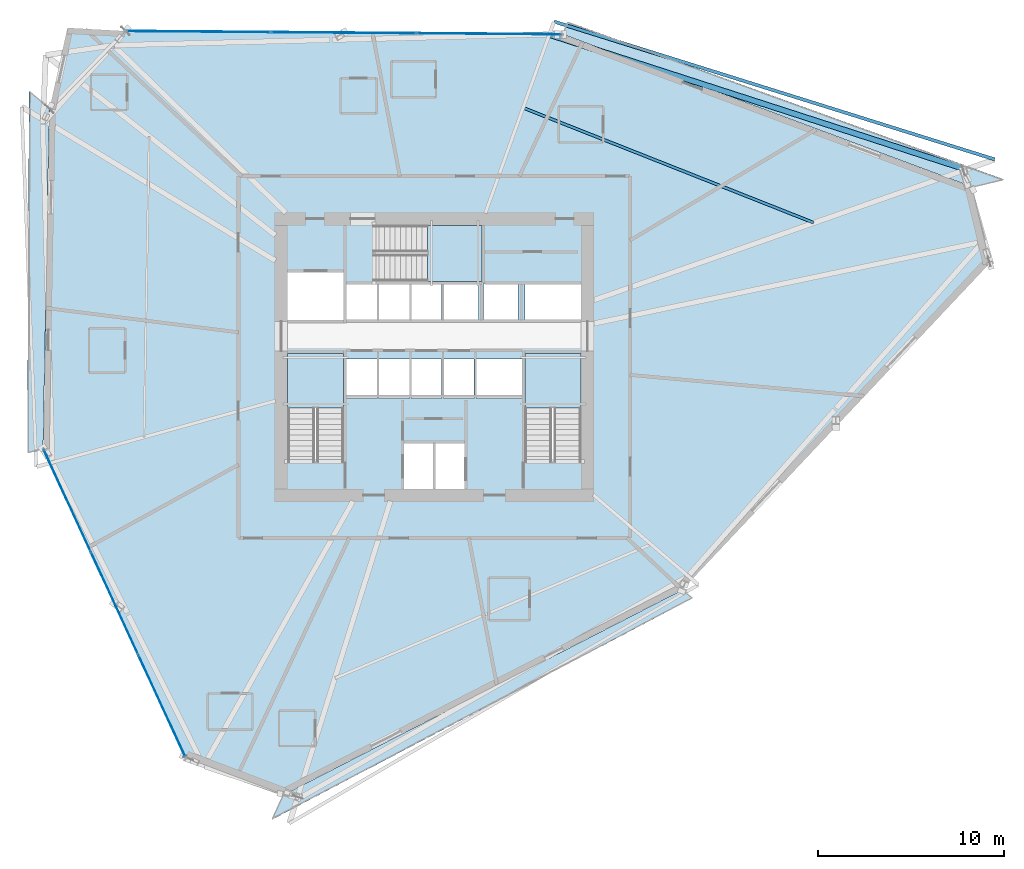
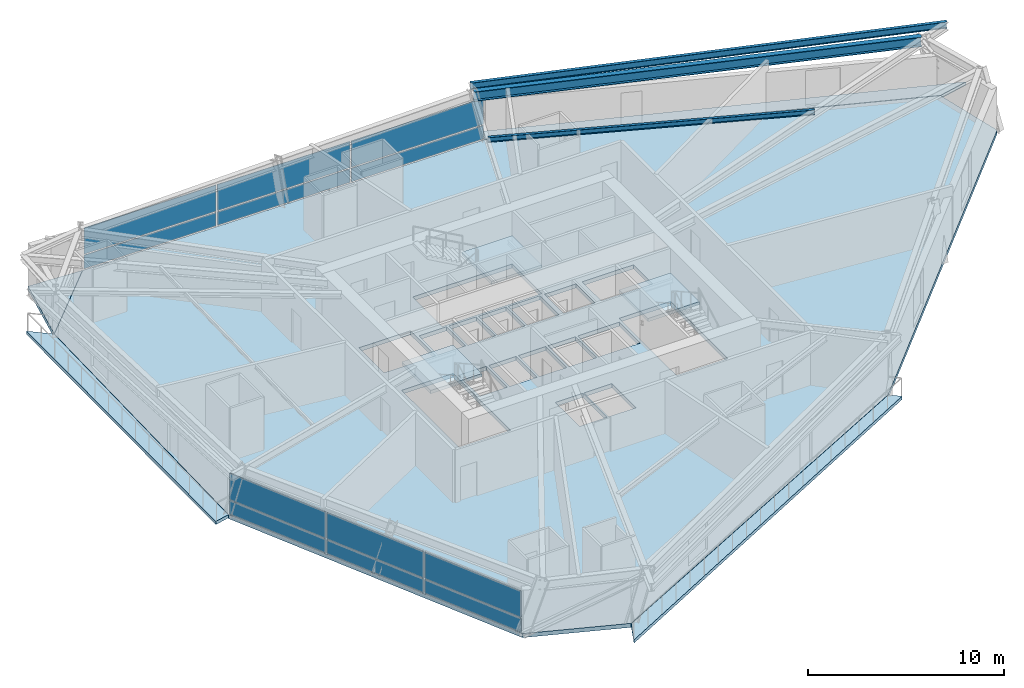
# One storey, part 10 of 22: 12 plates, 8 slabs, 3 beams, 5 elements without a shape of their own.
"""IFC4 building model written with IfcOpenShell, lengths in metres."""

from ifc_helpers import new_model, si_unit, direction, frame, origin, origin_2d, place, context, subcontext, project, spatial, polyline, rectangle, i_section, outline, extrude, source, transform, mapped, material, layer, layer_set, material_profile, profile_set, type_object, element, aggregate, save


model = new_model("IFC4")

# Units and contexts
model_context = context("Model", 3, precision=1e-05, world=origin(), true_north=direction((0.0, 1.0)))
body_context = subcontext(model_context, "Body", "Model", "MODEL_VIEW")
ifc_project = project(units=[si_unit("LENGTHUNIT", "METRE"), si_unit("AREAUNIT", "SQUARE_METRE"), si_unit("VOLUMEUNIT", "CUBIC_METRE"), si_unit("PLANEANGLEUNIT", "RADIAN"), si_unit("MASSUNIT", "GRAM", prefix="KILO")], contexts=[model_context])

# Site, building, storey
site_placement = place(None, origin())
site = spatial("IfcSite", under=ifc_project, at=site_placement, CompositionType="ELEMENT")
building_placement = place(site_placement, origin())
building = spatial("IfcBuilding", under=site, at=building_placement, Name="Olszyna Solenne Hotel", CompositionType="ELEMENT")
storey_placement = place(building_placement, frame((0.0, 0.0, 95.050048828125)))
storey = spatial("IfcBuildingStorey", under=building, at=storey_placement, Name="L24", CompositionType="ELEMENT", Elevation=95.050048828125)

# Beams
ifc_material_1 = material(Name="Steel S355J2", Category="steel")
ifc_material_profile_1 = material_profile(ifc_material_1, i_section(OverallWidth=0.300048828125, OverallDepth=0.60009765625, WebThickness=0.015380859375, FlangeThickness=0.030029296875, at=origin_2d()), Name="HEB 600", Category="load-bearing")
ifc_profile_set_1 = profile_set([ifc_material_profile_1], Name="Steel S355J2")
beam_type_1 = type_object("IfcBeamType", Name="BM-S2", PredefinedType="BEAM", material=ifc_profile_set_1)
shared_shape_1 = source(origin(), body_context, "Body", "SweptSolid", [
    extrude(i_section(OverallWidth=0.300048828125, OverallDepth=0.60009765625, WebThickness=0.015380859375, FlangeThickness=0.030029296875, at=origin_2d()), origin(), (0.0, 0.0, 1.0), 23.327880859375),
])
beam_1_placement = place(storey_placement, frame((66.41259765625, 36.782470703125, 3.0), z_axis=(-0.951459933032, 0.307772636593, 0.0), x_axis=(-0.307772636593, -0.951459933032, 0.0)))
element("IfcBeam", 1, at=beam_1_placement, inside=storey, type_object=beam_type_1, Name="Perimeter spandrel beam BM-S2 B-L24-0721", PredefinedType="BEAM", context=body_context, shape_type="MappedRepresentation", body=[
    mapped(shared_shape_1, transform((0.0, 0.0, 0.0), x_axis=(1.0, 0.0, 0.0), y_axis=(0.0, 1.0, 0.0), z_axis=(0.0, 0.0, 1.0), scale=1.0)),
])
ifc_material_profile_2 = material_profile(ifc_material_1, i_section(OverallWidth=0.14990234375, OverallDepth=0.300048828125, WebThickness=0.007080078125, FlangeThickness=0.0107421875, at=origin_2d()), Name="IPE 300", Category="load-bearing")
ifc_profile_set_2 = profile_set([ifc_material_profile_2], Name="Steel S355J2")
beam_type_2 = type_object("IfcBeamType", Name="JS-02", PredefinedType="JOIST", material=ifc_profile_set_2)
shared_shape_2 = source(origin(), body_context, "Body", "SweptSolid", [
    extrude(i_section(OverallWidth=0.14990234375, OverallDepth=0.300048828125, WebThickness=0.007080078125, FlangeThickness=0.0107421875, at=origin_2d()), origin(), (0.0, 0.0, 1.0), 16.809326171875),
])
beam_2_placement = place(storey_placement, frame((58.431396484375, 33.837158203125, 3.14990234375), z_axis=(-0.929895224396, 0.367824512024, 0.0), x_axis=(-0.367824512024, -0.929895224396, 0.0)))
element("IfcBeam", 2, at=beam_2_placement, inside=storey, type_object=beam_type_2, Name="Secondary composite floor joist JS-02 B-L24-0744", PredefinedType="JOIST", context=body_context, shape_type="MappedRepresentation", body=[
    mapped(shared_shape_2, transform((0.0, 0.0, 0.0), x_axis=(1.0, 0.0, 0.0), y_axis=(0.0, 1.0, 0.0), z_axis=(0.0, 0.0, 1.0), scale=1.0)),
])
ifc_material_profile_3 = material_profile(ifc_material_1, i_section(OverallWidth=0.179931640625, OverallDepth=0.39990234375, WebThickness=0.008544921875, FlangeThickness=0.013427734375, at=origin_2d()), Name="IPE 400", Category="load-bearing")
ifc_profile_set_3 = profile_set([ifc_material_profile_3], Name="Steel S355J2")
beam_type_3 = type_object("IfcBeamType", Name="BM-F5", PredefinedType="BEAM", material=ifc_profile_set_3)
shared_shape_3 = source(origin(), body_context, "Body", "SweptSolid", [
    extrude(i_section(OverallWidth=0.179931640625, OverallDepth=0.39990234375, WebThickness=0.008544921875, FlangeThickness=0.013427734375, at=origin_2d()), origin(), (0.0, 0.0, 1.0), 24.87158203125),
])
beam_3_placement = place(storey_placement, frame((68.18408203125, 37.24658203125, 3.099853515625), z_axis=(-0.954413932152, 0.298486257831, 0.0), x_axis=(-0.298486257831, -0.954413932152, 0.0)))
element("IfcBeam", 3, at=beam_3_placement, inside=storey, type_object=beam_type_3, Name="Loggia outer edge beam BM-F5 B-L24-0747", PredefinedType="BEAM", context=body_context, shape_type="MappedRepresentation", body=[
    mapped(shared_shape_3, transform((0.0, 0.0, 0.0), x_axis=(1.0, 0.0, 0.0), y_axis=(0.0, 1.0, 0.0), z_axis=(0.0, 0.0, 1.0), scale=1.0)),
])

# Stair, slab
ifc_material_2 = material(Name="Concrete C40/50", Category="concrete")
stair_type = type_object("IfcStairType", Name="STR-C1", PredefinedType="TWO_QUARTER_WINDING_STAIR", material=ifc_material_2)
stair_1_placement = place(storey_placement, origin())
stair_1 = element("IfcStair", 4, at=stair_1_placement, inside=storey, type_object=stair_type, Name="L24 ST1", PredefinedType="TWO_QUARTER_WINDING_STAIR")
ifc_layer_1 = layer(ifc_material_2, 0.18994140625, Name="Concrete C40/50")
ifc_layer_set_1 = layer_set([ifc_layer_1], Name="Concrete C40/50")
slab_type_1 = type_object("IfcSlabType", Name="SL-LN190", PredefinedType="LANDING", material=ifc_layer_set_1)
slab_1_placement = place(storey_placement, frame((0.0, 0.0, 1.574951171875)))
slab_1 = element("IfcSlab", 5, at=slab_1_placement, type_object=slab_type_1, Name="ST1 landing 1", PredefinedType="LANDING", context=body_context, shape_type="SweptSolid", body=[
    extrude(outline(polyline([(33.1201171875, 23.85009765625), (33.1201171875, 26.800048828125), (30.10009765625, 26.800048828125), (30.10009765625, 23.85009765625), (33.1201171875, 23.85009765625)])), origin(), (0.0, 0.0, 1.0), 0.199951171875),
])
aggregate(stair_1, [slab_1])

stair_2_placement = place(storey_placement, origin())
stair_2 = element("IfcStair", 6, at=stair_2_placement, inside=storey, type_object=stair_type, Name="L24 ST2", PredefinedType="TWO_QUARTER_WINDING_STAIR")
slab_2_placement = place(storey_placement, frame((0.0, 0.0, 1.574951171875)))
slab_2 = element("IfcSlab", 7, at=slab_2_placement, type_object=slab_type_1, Name="ST2 landing 1", PredefinedType="LANDING", context=body_context, shape_type="SweptSolid", body=[
    extrude(outline(polyline([(45.89990234375, 23.85009765625), (45.89990234375, 26.800048828125), (42.8798828125, 26.800048828125), (42.8798828125, 23.85009765625), (45.89990234375, 23.85009765625)])), origin(), (0.0, 0.0, 1.0), 0.199951171875),
])
aggregate(stair_2, [slab_2])

stair_3_placement = place(storey_placement, origin())
stair_3 = element("IfcStair", 8, at=stair_3_placement, inside=storey, type_object=stair_type, Name="L24 ST3", PredefinedType="TWO_QUARTER_WINDING_STAIR")
slab_3_placement = place(storey_placement, frame((0.0, 0.0, 1.574951171875)))
slab_3 = element("IfcSlab", 9, at=slab_3_placement, type_object=slab_type_1, Name="ST3 landing 1", PredefinedType="LANDING", context=body_context, shape_type="SweptSolid", body=[
    extrude(outline(polyline([(37.6298828125, 30.679931640625), (40.580078125, 30.679931640625), (40.580078125, 33.699951171875), (37.6298828125, 33.699951171875), (37.6298828125, 30.679931640625)])), origin(), (0.0, 0.0, 1.0), 0.199951171875),
])
aggregate(stair_3, [slab_3])

# Slabs
ifc_material_3 = material(Name="Precast concrete C45/55", Category="concrete")
ifc_layer_2 = layer(ifc_material_3, 0.199951171875, Name="Precast concrete C45/55")
ifc_layer_set_2 = layer_set([ifc_layer_2], Name="Precast concrete C45/55")
slab_type_2 = type_object("IfcSlabType", Name="SL-LOG200", PredefinedType="FLOOR", material=ifc_layer_set_2)
slab_4_placement = place(storey_placement, frame((0.0, 0.0, -0.199951171875)))
element("IfcSlab", 10, at=slab_4_placement, inside=storey, type_object=slab_type_2, Name="Exterior loggia balcony slab SL-L24-LG1", PredefinedType="FLOOR", context=body_context, shape_type="SweptSolid", body=[
    extrude(outline(polyline([(44.902587890625, 43.994140625), (66.959716796875, 35.76513671875), (66.9609375, 35.764404296875), (66.96240234375, 35.763916015625), (66.96337890625, 35.762939453125), (66.964599609375, 35.761962890625), (66.9658203125, 35.760986328125), (66.966552734375, 35.759765625), (66.96728515625, 35.758544921875), (66.968017578125, 35.757080078125), (66.968505859375, 35.755859375), (66.968994140625, 35.75439453125), (68.68603515625, 36.16748046875), (45.208740234375, 44.658447265625), (44.902587890625, 43.994140625)])), origin(), (0.0, 0.0, 1.0), 0.199951171875),
])
slab_5_placement = place(storey_placement, frame((0.0, 0.0, -0.199951171875)))
element("IfcSlab", 11, at=slab_5_placement, inside=storey, type_object=slab_type_2, Name="Exterior loggia balcony slab SL-L24-LG2", PredefinedType="FLOOR", context=body_context, shape_type="SweptSolid", body=[
    extrude(outline(polyline([(16.926513671875, 21.655029296875), (16.92626953125, 21.65625), (16.926025390625, 21.657470703125), (16.926025390625, 21.658935546875), (17.263671875, 39.982666015625), (17.263671875, 39.984130859375), (17.263916015625, 39.985595703125), (17.265625, 39.993408203125), (16.171875, 40.922119140625), (16.0751953125, 21.450439453125), (16.926513671875, 21.655029296875)])), origin(), (0.0, 0.0, 1.0), 0.199951171875),
])
slab_6_placement = place(storey_placement, frame((0.0, 0.0, -0.199951171875)))
element("IfcSlab", 12, at=slab_6_placement, inside=storey, type_object=slab_type_2, Name="Exterior loggia balcony slab SL-L24-LG3", PredefinedType="FLOOR", context=body_context, shape_type="SweptSolid", body=[
    extrude(outline(polyline([(51.37060546875, 14.064697265625), (51.3701171875, 14.064208984375), (51.368896484375, 14.06298828125), (51.367431640625, 14.06201171875), (51.3662109375, 14.061279296875), (29.884521484375, 3.025390625), (29.8828125, 3.02490234375), (29.88134765625, 3.0244140625), (29.8798828125, 3.02392578125), (29.87841796875, 3.023681640625), (29.876708984375, 3.023681640625), (29.875244140625, 3.02392578125), (29.873779296875, 3.0244140625), (29.872314453125, 3.02490234375), (29.87109375, 3.025146484375), (29.252685546875, 1.6826171875), (51.91259765625, 13.6044921875), (51.37060546875, 14.064697265625)])), origin(), (0.0, 0.0, 1.0), 0.199951171875),
])
ifc_material_4 = material(Name="Concrete C50/60", Category="concrete")
ifc_layer_3 = layer(ifc_material_4, 0.25, Name="Concrete C50/60")
ifc_layer_set_3 = layer_set([ifc_layer_3], Name="Concrete C50/60")
slab_type_3 = type_object("IfcSlabType", Name="SL-TW250", PredefinedType="FLOOR", material=ifc_layer_set_3)
slab_7_placement = place(storey_placement, frame((0.0, 0.0, -0.25)))
element("IfcSlab", 13, at=slab_7_placement, inside=storey, type_object=slab_type_3, Name="Floor slab SL-TW250 SL-L24-01", PredefinedType="FLOOR", context=body_context, shape_type="SweptSolid", body=[
    extrude(outline(polyline([(67.91943359375, 31.653076171875), (66.954345703125, 35.7509765625), (44.896240234375, 43.98046875), (21.353759765625, 44.15869140625), (17.278564453125, 39.982421875), (16.941162109375, 21.65869140625), (24.6162109375, 5.016357421875), (29.87744140625, 3.038818359375), (51.359130859375, 14.074462890625), (67.91943359375, 31.653076171875)]), holes=[polyline([(30.10009765625, 20.949951171875), (33.1201171875, 20.949951171875), (33.1201171875, 26.800048828125), (30.10009765625, 26.800048828125), (30.10009765625, 20.949951171875)]), polyline([(42.8798828125, 20.949951171875), (45.89990234375, 20.949951171875), (45.89990234375, 26.800048828125), (42.8798828125, 26.800048828125), (42.8798828125, 20.949951171875)]), polyline([(34.72998046875, 30.679931640625), (40.580078125, 30.679931640625), (40.580078125, 33.699951171875), (34.72998046875, 33.699951171875), (34.72998046875, 30.679931640625)]), polyline([(36.340087890625, 19.5), (37.9599609375, 19.5), (37.9599609375, 21.9599609375), (36.340087890625, 21.9599609375), (36.340087890625, 19.5)]), polyline([(38.0400390625, 19.5), (39.659912109375, 19.5), (39.659912109375, 21.9599609375), (38.0400390625, 21.9599609375), (38.0400390625, 19.5)]), polyline([(30.10009765625, 28.60009765625), (33.1201171875, 28.60009765625), (33.1201171875, 31.159912109375), (30.10009765625, 31.159912109375), (30.10009765625, 28.60009765625)]), polyline([(33.280029296875, 24.360107421875), (34.89990234375, 24.360107421875), (34.89990234375, 26.5), (33.280029296875, 26.5), (33.280029296875, 24.360107421875)]), polyline([(35.030029296875, 24.360107421875), (36.64990234375, 24.360107421875), (36.64990234375, 26.5), (35.030029296875, 26.5), (35.030029296875, 24.360107421875)]), polyline([(36.780029296875, 24.360107421875), (38.39990234375, 24.360107421875), (38.39990234375, 26.5), (36.780029296875, 26.5), (36.780029296875, 24.360107421875)]), polyline([(38.530029296875, 24.360107421875), (40.14990234375, 24.360107421875), (40.14990234375, 26.5), (38.530029296875, 26.5), (38.530029296875, 24.360107421875)]), polyline([(40.280029296875, 24.360107421875), (42.719970703125, 24.360107421875), (42.719970703125, 26.5), (40.280029296875, 26.5), (40.280029296875, 24.360107421875)]), polyline([(33.280029296875, 28.60009765625), (34.89990234375, 28.60009765625), (34.89990234375, 30.550048828125), (33.280029296875, 30.550048828125), (33.280029296875, 28.60009765625)]), polyline([(35.030029296875, 28.60009765625), (36.64990234375, 28.60009765625), (36.64990234375, 30.550048828125), (35.030029296875, 30.550048828125), (35.030029296875, 28.60009765625)]), polyline([(36.780029296875, 28.60009765625), (38.39990234375, 28.60009765625), (38.39990234375, 30.550048828125), (36.780029296875, 30.550048828125), (36.780029296875, 28.60009765625)]), polyline([(38.530029296875, 28.60009765625), (40.389892578125, 28.60009765625), (40.389892578125, 30.550048828125), (38.530029296875, 30.550048828125), (38.530029296875, 28.60009765625)]), polyline([(40.659912109375, 28.60009765625), (42.52001953125, 28.60009765625), (42.52001953125, 30.550048828125), (40.659912109375, 30.550048828125), (40.659912109375, 28.60009765625)]), polyline([(42.8798828125, 28.60009765625), (45.89990234375, 28.60009765625), (45.89990234375, 30.550048828125), (42.8798828125, 30.550048828125), (42.8798828125, 28.60009765625)])]), origin(), (0.0, 0.0, 1.0), 0.25),
])
slab_8_placement = place(storey_placement, frame((0.0, 0.0, -0.25)))
element("IfcSlab", 14, at=slab_8_placement, inside=storey, type_object=slab_type_3, Name="Faceted glass-prism floor slab SL-L24-PR", PredefinedType="FLOOR", context=body_context, shape_type="SweptSolid", body=[
    extrude(outline(polyline([(17.28271484375, 40.000732421875), (21.34033203125, 44.1591796875), (18.239013671875, 44.331298828125), (17.28271484375, 40.000732421875)])), origin(), (0.0, 0.0, 1.0), 0.25),
])

# Curtain wall, plates
ifc_material_5 = material(Name="Anodised bronze aluminium", Category="aluminium")
curtain_wall_type = type_object("IfcCurtainWallType", Name="CW-SYS-3", PredefinedType="NOTDEFINED", material=ifc_material_5)
curtain_wall_1_placement = place(storey_placement, origin())
curtain_wall_1 = element("IfcCurtainWall", 15, at=curtain_wall_1_placement, inside=storey, type_object=curtain_wall_type, Name="Unitised curtain wall CW-SYS-3 CW-L24-01", PredefinedType="NOTDEFINED")
ifc_material_6 = material(Name="Terracotta cladding", Category="masonry")
plate_type_1 = type_object("IfcPlateType", Name="PN-SP1", PredefinedType="CURTAIN_PANEL", material=ifc_material_6)
shared_shape_4 = source(origin(), body_context, "Body", "SweptSolid", [
    extrude(rectangle(XDim=5.996337890625, YDim=0.035888671875, at=origin_2d()), origin(), (0.0, 0.0, 1.0), 0.83740234375),
])
plate_1_placement = place(storey_placement, frame((18.22802734375, 18.867919921875, 0.074951171875), z_axis=(0.0, 0.0, 1.0), x_axis=(0.418785493846, -0.908085188814, 0.0)))
plate_1 = element("IfcPlate", 16, at=plate_1_placement, type_object=plate_type_1, Name="Curtain-wall panel PN-SP1 CP-L24-01-01", PredefinedType="CURTAIN_PANEL", context=body_context, shape_type="MappedRepresentation", body=[
    mapped(shared_shape_4, transform((0.0, 0.0, 0.0), x_axis=(1.0, 0.0, 0.0), y_axis=(0.0, 1.0, 0.0), z_axis=(0.0, 0.0, 1.0), scale=1.0)),
])
plate_2_placement = place(storey_placement, frame((23.3291015625, 7.80712890625, 0.074951171875), z_axis=(0.0, 0.0, 1.0), x_axis=(0.418785493846, -0.908085188814, 0.0)))
plate_2 = element("IfcPlate", 17, at=plate_2_placement, type_object=plate_type_1, Name="Curtain-wall panel PN-SP1 CP-L24-01-05", PredefinedType="CURTAIN_PANEL", context=body_context, shape_type="MappedRepresentation", body=[
    mapped(shared_shape_4, transform((0.0, 0.0, 0.0), x_axis=(1.0, 0.0, 0.0), y_axis=(0.0, 1.0, 0.0), z_axis=(0.0, 0.0, 1.0), scale=1.0)),
])
ifc_material_7 = material(Name="Low-E triple glazing", Category="glass")
plate_type_2 = type_object("IfcPlateType", Name="PN-GL1", PredefinedType="CURTAIN_PANEL", material=ifc_material_7)
shared_shape_5 = source(origin(), body_context, "Body", "SweptSolid", [
    extrude(rectangle(XDim=5.996337890625, YDim=0.035888671875, at=origin_2d()), origin(), (0.0, 0.0, 1.0), 1.62939453125),
])
plate_3_placement = place(storey_placement, frame((18.22802734375, 18.867919921875, 0.987548828125), z_axis=(0.0, 0.0, 1.0), x_axis=(0.418785493846, -0.908085188814, 0.0)))
plate_3 = element("IfcPlate", 18, at=plate_3_placement, type_object=plate_type_2, Name="Curtain-wall panel PN-GL1 CP-L24-01-02", PredefinedType="CURTAIN_PANEL", context=body_context, shape_type="MappedRepresentation", body=[
    mapped(shared_shape_5, transform((0.0, 0.0, 0.0), x_axis=(1.0, 0.0, 0.0), y_axis=(0.0, 1.0, 0.0), z_axis=(0.0, 0.0, 1.0), scale=1.0)),
])
plate_4_placement = place(storey_placement, frame((23.3291015625, 7.80712890625, 0.987548828125), z_axis=(0.0, 0.0, 1.0), x_axis=(0.418785493846, -0.908085188814, 0.0)))
plate_4 = element("IfcPlate", 19, at=plate_4_placement, type_object=plate_type_2, Name="Curtain-wall panel PN-GL1 CP-L24-01-06", PredefinedType="CURTAIN_PANEL", context=body_context, shape_type="MappedRepresentation", body=[
    mapped(shared_shape_5, transform((0.0, 0.0, 0.0), x_axis=(1.0, 0.0, 0.0), y_axis=(0.0, 1.0, 0.0), z_axis=(0.0, 0.0, 1.0), scale=1.0)),
])
shared_shape_6 = source(origin(), body_context, "Body", "SweptSolid", [
    extrude(rectangle(XDim=6.033935546875, YDim=0.035888671875, at=origin_2d()), origin(), (0.0, 0.0, 1.0), 0.83740234375),
])
plate_5_placement = place(storey_placement, frame((20.778564453125, 13.33740234375, 0.074951171875), z_axis=(0.0, 0.0, 1.0), x_axis=(0.418785493846, -0.908085188814, 0.0)))
plate_5 = element("IfcPlate", 20, at=plate_5_placement, type_object=plate_type_1, Name="Curtain-wall panel PN-SP1 CP-L24-01-03", PredefinedType="CURTAIN_PANEL", context=body_context, shape_type="MappedRepresentation", body=[
    mapped(shared_shape_6, transform((0.0, 0.0, 0.0), x_axis=(1.0, 0.0, 0.0), y_axis=(0.0, 1.0, 0.0), z_axis=(0.0, 0.0, 1.0), scale=1.0)),
])
shared_shape_7 = source(origin(), body_context, "Body", "SweptSolid", [
    extrude(rectangle(XDim=6.033935546875, YDim=0.035888671875, at=origin_2d()), origin(), (0.0, 0.0, 1.0), 1.62939453125),
])
plate_6_placement = place(storey_placement, frame((20.778564453125, 13.33740234375, 0.987548828125), z_axis=(0.0, 0.0, 1.0), x_axis=(0.418785493846, -0.908085188814, 0.0)))
plate_6 = element("IfcPlate", 21, at=plate_6_placement, type_object=plate_type_2, Name="Curtain-wall panel PN-GL1 CP-L24-01-04", PredefinedType="CURTAIN_PANEL", context=body_context, shape_type="MappedRepresentation", body=[
    mapped(shared_shape_7, transform((0.0, 0.0, 0.0), x_axis=(1.0, 0.0, 0.0), y_axis=(0.0, 1.0, 0.0), z_axis=(0.0, 0.0, 1.0), scale=1.0)),
])
aggregate(curtain_wall_1, [plate_1, plate_3, plate_5, plate_6, plate_2, plate_4])

curtain_wall_2_placement = place(storey_placement, origin())
curtain_wall_2 = element("IfcCurtainWall", 22, at=curtain_wall_2_placement, inside=storey, type_object=curtain_wall_type, Name="Unitised curtain wall CW-SYS-3 CW-L24-02", PredefinedType="NOTDEFINED")
shared_shape_8 = source(origin(), body_context, "Body", "SweptSolid", [
    extrude(rectangle(XDim=7.7353515625, YDim=0.035888671875, at=origin_2d()), origin(), (0.0, 0.0, 1.0), 0.83740234375),
])
plate_7_placement = place(storey_placement, frame((25.296142578125, 44.128662109375, 0.074951171875), z_axis=(0.0, 0.0, 1.0), x_axis=(0.999971386541, -0.007564793352, 0.0)))
plate_7 = element("IfcPlate", 23, at=plate_7_placement, type_object=plate_type_1, Name="Curtain-wall panel PN-SP1 CP-L24-02-01", PredefinedType="CURTAIN_PANEL", context=body_context, shape_type="MappedRepresentation", body=[
    mapped(shared_shape_8, transform((0.0, 0.0, 0.0), x_axis=(1.0, 0.0, 0.0), y_axis=(0.0, 1.0, 0.0), z_axis=(0.0, 0.0, 1.0), scale=1.0)),
])
plate_8_placement = place(storey_placement, frame((40.953857421875, 44.01025390625, 0.074951171875), z_axis=(0.0, 0.0, 1.0), x_axis=(0.999971386541, -0.007564793352, 0.0)))
plate_8 = element("IfcPlate", 24, at=plate_8_placement, type_object=plate_type_1, Name="Curtain-wall panel PN-SP1 CP-L24-02-05", PredefinedType="CURTAIN_PANEL", context=body_context, shape_type="MappedRepresentation", body=[
    mapped(shared_shape_8, transform((0.0, 0.0, 0.0), x_axis=(1.0, 0.0, 0.0), y_axis=(0.0, 1.0, 0.0), z_axis=(0.0, 0.0, 1.0), scale=1.0)),
])
shared_shape_9 = source(origin(), body_context, "Body", "SweptSolid", [
    extrude(rectangle(XDim=7.7353515625, YDim=0.035888671875, at=origin_2d()), origin(), (0.0, 0.0, 1.0), 1.62939453125),
])
plate_9_placement = place(storey_placement, frame((25.296142578125, 44.128662109375, 0.987548828125), z_axis=(0.0, 0.0, 1.0), x_axis=(0.999971386541, -0.007564793352, 0.0)))
plate_9 = element("IfcPlate", 25, at=plate_9_placement, type_object=plate_type_2, Name="Curtain-wall panel PN-GL1 CP-L24-02-02", PredefinedType="CURTAIN_PANEL", context=body_context, shape_type="MappedRepresentation", body=[
    mapped(shared_shape_9, transform((0.0, 0.0, 0.0), x_axis=(1.0, 0.0, 0.0), y_axis=(0.0, 1.0, 0.0), z_axis=(0.0, 0.0, 1.0), scale=1.0)),
])
plate_10_placement = place(storey_placement, frame((40.953857421875, 44.01025390625, 0.987548828125), z_axis=(0.0, 0.0, 1.0), x_axis=(0.999971386541, -0.007564793352, 0.0)))
plate_10 = element("IfcPlate", 26, at=plate_10_placement, type_object=plate_type_2, Name="Curtain-wall panel PN-GL1 CP-L24-02-06", PredefinedType="CURTAIN_PANEL", context=body_context, shape_type="MappedRepresentation", body=[
    mapped(shared_shape_9, transform((0.0, 0.0, 0.0), x_axis=(1.0, 0.0, 0.0), y_axis=(0.0, 1.0, 0.0), z_axis=(0.0, 0.0, 1.0), scale=1.0)),
])
shared_shape_10 = source(origin(), body_context, "Body", "SweptSolid", [
    extrude(rectangle(XDim=7.772705078125, YDim=0.035888671875, at=origin_2d()), origin(), (0.0, 0.0, 1.0), 0.83740234375),
])
plate_11_placement = place(storey_placement, frame((33.125, 44.069580078125, 0.074951171875), z_axis=(0.0, 0.0, 1.0), x_axis=(0.999971386541, -0.007564793352, 0.0)))
plate_11 = element("IfcPlate", 27, at=plate_11_placement, type_object=plate_type_1, Name="Curtain-wall panel PN-SP1 CP-L24-02-03", PredefinedType="CURTAIN_PANEL", context=body_context, shape_type="MappedRepresentation", body=[
    mapped(shared_shape_10, transform((0.0, 0.0, 0.0), x_axis=(1.0, 0.0, 0.0), y_axis=(0.0, 1.0, 0.0), z_axis=(0.0, 0.0, 1.0), scale=1.0)),
])
shared_shape_11 = source(origin(), body_context, "Body", "SweptSolid", [
    extrude(rectangle(XDim=7.772705078125, YDim=0.035888671875, at=origin_2d()), origin(), (0.0, 0.0, 1.0), 1.62939453125),
])
plate_12_placement = place(storey_placement, frame((33.125, 44.069580078125, 0.987548828125), z_axis=(0.0, 0.0, 1.0), x_axis=(0.999971386541, -0.007564793352, 0.0)))
plate_12 = element("IfcPlate", 28, at=plate_12_placement, type_object=plate_type_2, Name="Curtain-wall panel PN-GL1 CP-L24-02-04", PredefinedType="CURTAIN_PANEL", context=body_context, shape_type="MappedRepresentation", body=[
    mapped(shared_shape_11, transform((0.0, 0.0, 0.0), x_axis=(1.0, 0.0, 0.0), y_axis=(0.0, 1.0, 0.0), z_axis=(0.0, 0.0, 1.0), scale=1.0)),
])
aggregate(curtain_wall_2, [plate_7, plate_9, plate_11, plate_12, plate_8, plate_10])

save(model, "model.ifc")
